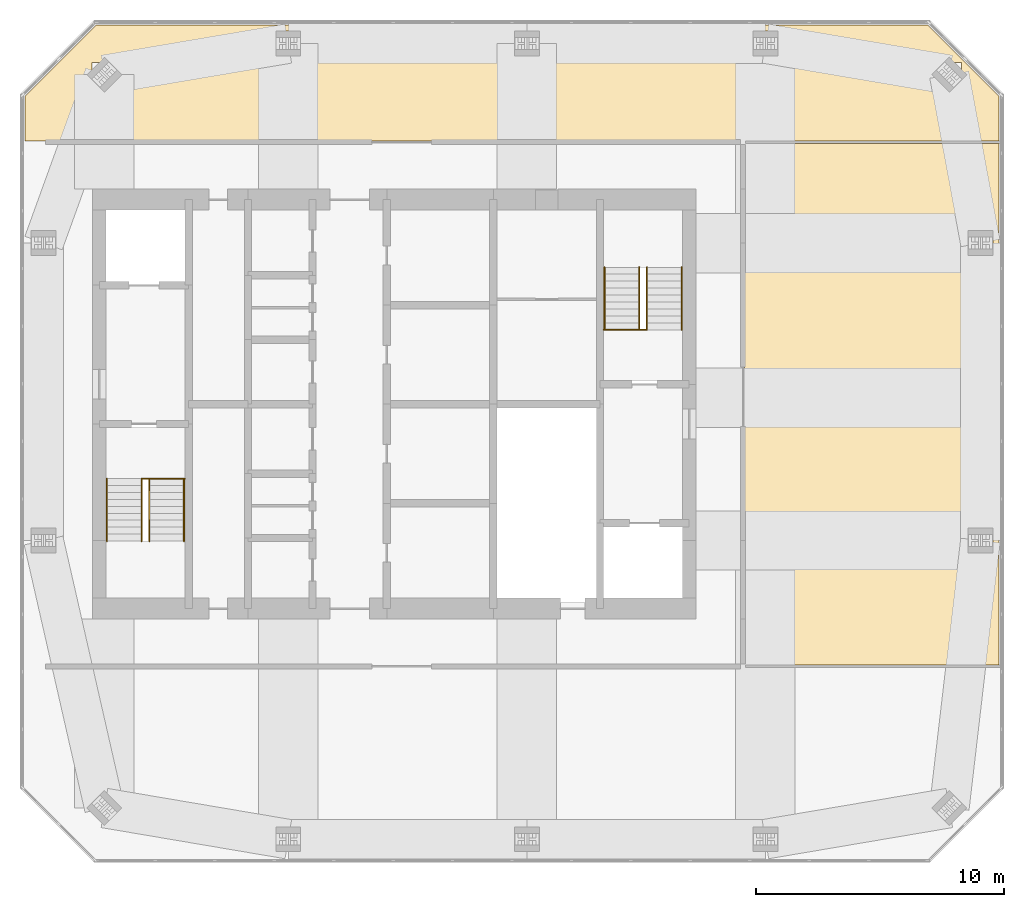
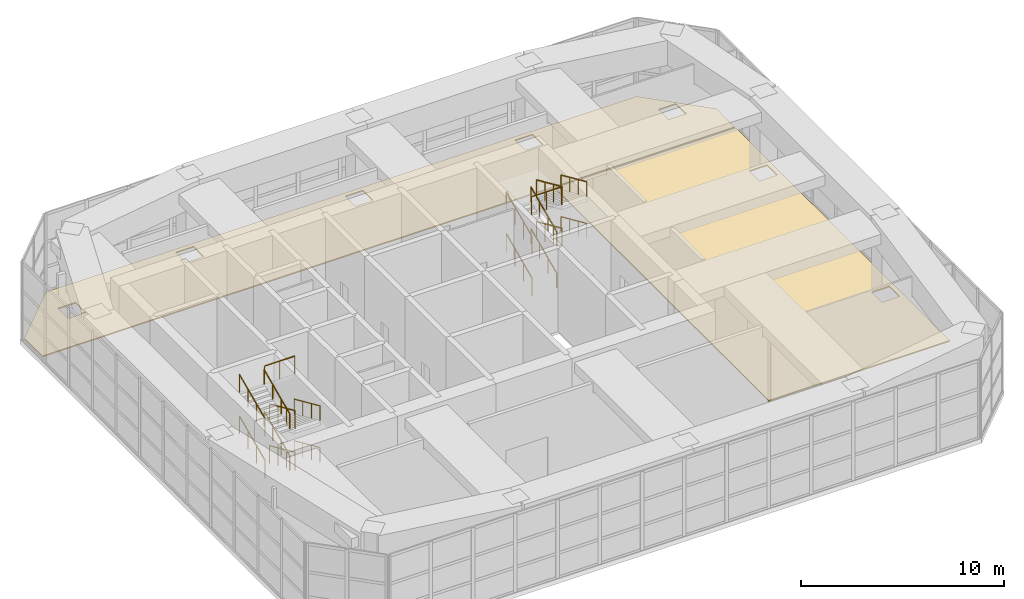
# One storey, part 14 of 14: 18 railings, 2 coverings.
"""IFC4 building model written with IfcOpenShell, lengths in metres."""

from ifc_helpers import new_model, si_unit, direction, frame, origin, origin_2d, place, context, subcontext, project, spatial, polyline, rectangle, circle, outline, extrude, material, layer, layer_set, constituent, constituent_set, type_object, element, save


model = new_model("IFC4")

# Units and contexts
model_context = context("Model", 3, precision=1e-05, world=origin(), true_north=direction((0.0, 1.0)))
body_context = subcontext(model_context, "Body", "Model", "MODEL_VIEW")
ifc_project = project(units=[si_unit("LENGTHUNIT", "METRE"), si_unit("AREAUNIT", "SQUARE_METRE"), si_unit("VOLUMEUNIT", "CUBIC_METRE"), si_unit("PLANEANGLEUNIT", "RADIAN"), si_unit("MASSUNIT", "GRAM", prefix="KILO")], contexts=[model_context])

# Site, building, storey
site_placement = place(None, origin())
site = spatial("IfcSite", under=ifc_project, at=site_placement, CompositionType="ELEMENT")
building_placement = place(site_placement, origin())
building = spatial("IfcBuilding", under=site, at=building_placement, Name="Jalousie Tower", CompositionType="ELEMENT")
storey_placement = place(building_placement, frame((0.0, 0.0, 272.75)))
storey = spatial("IfcBuildingStorey", under=building, at=storey_placement, Name="L74", CompositionType="ELEMENT", Elevation=272.75)

# Coverings
ifc_material_1 = material(Name="Sand-cement screed on resilient layer", Category="concrete")
ifc_layer = layer(ifc_material_1, 0.070068359375)
ifc_layer_set = layer_set([ifc_layer], Name="Sand-cement screed on resilient layer")
covering_type = type_object("IfcCoveringType", Name="FLOATING PLANT SCREED 70", PredefinedType="FLOORING", material=ifc_layer_set)
covering_1_placement = place(storey_placement, origin())
element("IfcCovering", 1, at=covering_1_placement, inside=storey, type_object=covering_type, Name="Floating screed Sprinkler tank plant room", PredefinedType="FLOORING", context=body_context, shape_type="SweptSolid", body=[
    extrude(outline(polyline([(17.0, 30.917236328125), (19.8828125, 33.800048828125), (53.417236328125, 33.800048828125), (56.300048828125, 30.917236328125), (56.300048828125, 29.125), (17.0, 29.125), (17.0, 30.917236328125)]), holes=[polyline([(53.79296875, 31.29296875), (54.79296875, 31.29296875), (54.79296875, 32.29296875), (53.79296875, 32.29296875), (53.79296875, 31.29296875)]), polyline([(46.375, 33.550048828125), (46.375, 32.550048828125), (47.375, 32.550048828125), (47.375, 33.550048828125), (46.375, 33.550048828125)]), polyline([(36.75, 33.550048828125), (36.75, 32.550048828125), (37.75, 32.550048828125), (37.75, 33.550048828125), (36.75, 33.550048828125)]), polyline([(27.125, 32.550048828125), (28.125, 32.550048828125), (28.125, 33.550048828125), (27.125, 33.550048828125), (27.125, 32.550048828125)]), polyline([(19.70703125, 31.29296875), (20.70703125, 31.29296875), (20.70703125, 32.29296875), (19.70703125, 32.29296875), (19.70703125, 31.29296875)])]), origin(), (0.0, 0.0, 1.0), 0.070068359375),
])
covering_2_placement = place(storey_placement, origin())
element("IfcCovering", 2, at=covering_2_placement, inside=storey, type_object=covering_type, Name="Floating screed Lift machine plant room", PredefinedType="FLOORING", context=body_context, shape_type="SweptSolid", body=[
    extrude(outline(polyline([(56.300048828125, 29.02490234375), (56.300048828125, 7.97509765625), (46.02490234375, 7.97509765625), (46.02490234375, 29.02490234375), (56.300048828125, 29.02490234375)]), holes=[polyline([(55.050048828125, 12.5), (56.050048828125, 12.5), (56.050048828125, 13.5), (55.050048828125, 13.5), (55.050048828125, 12.5)]), polyline([(55.050048828125, 24.5), (56.050048828125, 24.5), (56.050048828125, 25.5), (55.050048828125, 25.5), (55.050048828125, 24.5)])]), origin(), (0.0, 0.0, 1.0), 0.070068359375),
])

# Railings
ifc_material_2 = material(Name="Steel ASTM A500 Grade C", Category="steel")
ifc_constituent_1 = constituent(ifc_material_2, Name="Body")
ifc_material_3 = material(Name="Hot-dip galvanised zinc coating")
ifc_constituent_2 = constituent(ifc_material_3, Name="Finish")
ifc_constituent_set_1 = constituent_set(constituents=[ifc_constituent_1, ifc_constituent_2])
railing_type_1 = type_object("IfcRailingType", Name="STAIR GUARD 1100", PredefinedType="GUARDRAIL", material=ifc_constituent_set_1)
railing_1_placement = place(storey_placement, frame((23.449951171875, 15.49755859375, 5.0)))
element("IfcRailing", 3, at=railing_1_placement, inside=storey, type_object=railing_type_1, Name="Exit stair A top landing guard", PredefinedType="GUARDRAIL", context=body_context, shape_type="SweptSolid", body=[
    extrude(rectangle(XDim=0.048095703125, YDim=0.048095703125, at=origin_2d()), frame((0.0, 0.0, 1.076171875), z_axis=(-1.0, 0.0, 0.0), x_axis=(0.0, -1.0, 0.0)), (0.0, 0.0, 1.0), 1.71240234375),
    extrude(circle(Radius=0.02099609375, at=origin_2d()), origin(), (0.0, 0.0, 1.0), 1.052001953125),
    extrude(circle(Radius=0.02099609375, at=origin_2d()), frame((-0.856201171875, 0.0, 0.0)), (0.0, 0.0, 1.0), 1.052001953125),
    extrude(circle(Radius=0.02099609375, at=origin_2d()), frame((-1.71240234375, 0.0, 0.0)), (0.0, 0.0, 1.0), 1.052001953125),
])
railing_2_placement = place(storey_placement, frame((22.017578125, 15.49755859375, 0.125)))
element("IfcRailing", 4, at=railing_2_placement, inside=storey, type_object=railing_type_1, Name="Exit stair A guard L74 flight 1", PredefinedType="GUARDRAIL", context=body_context, shape_type="SweptSolid", body=[
    extrude(rectangle(XDim=0.048095703125, YDim=0.048095703125, at=origin_2d()), frame((0.0, 0.0, 1.076171875), z_axis=(0.0, -0.913139058521, 0.407648205936), x_axis=(1.0, 0.0, 0.0)), (0.0, 0.0, 1.0), 2.759765625),
    extrude(circle(Radius=0.02099609375, at=origin_2d()), origin(), (0.0, 0.0, 1.0), 1.052001953125),
    extrude(circle(Radius=0.02099609375, at=origin_2d()), frame((0.0, -0.840087890625, 0.375)), (0.0, 0.0, 1.0), 1.052001953125),
    extrude(circle(Radius=0.02099609375, at=origin_2d()), frame((0.0, -1.679931640625, 0.75)), (0.0, 0.0, 1.0), 1.052001953125),
    extrude(circle(Radius=0.02099609375, at=origin_2d()), frame((0.0, -2.52001953125, 1.125)), (0.0, 0.0, 1.0), 1.052001953125),
])
railing_3_placement = place(storey_placement, frame((20.304931640625, 12.9775390625, 1.375)))
element("IfcRailing", 5, at=railing_3_placement, inside=storey, type_object=railing_type_1, Name="Exit stair A guard L74 flight 2", PredefinedType="GUARDRAIL", context=body_context, shape_type="SweptSolid", body=[
    extrude(rectangle(XDim=0.048095703125, YDim=0.048095703125, at=origin_2d()), frame((0.0, 0.0, 1.076171875), z_axis=(0.0, 0.913139058521, 0.407648205936), x_axis=(-1.0, 0.0, 0.0)), (0.0, 0.0, 1.0), 2.759765625),
    extrude(circle(Radius=0.02099609375, at=origin_2d()), origin(), (0.0, 0.0, 1.0), 1.052001953125),
    extrude(circle(Radius=0.02099609375, at=origin_2d()), frame((0.0, 0.840087890625, 0.375)), (0.0, 0.0, 1.0), 1.052001953125),
    extrude(circle(Radius=0.02099609375, at=origin_2d()), frame((0.0, 1.679931640625, 0.75)), (0.0, 0.0, 1.0), 1.052001953125),
    extrude(circle(Radius=0.02099609375, at=origin_2d()), frame((0.0, 2.52001953125, 1.125)), (0.0, 0.0, 1.0), 1.052001953125),
])
railing_4_placement = place(storey_placement, frame((22.017578125, 15.49755859375, 2.625)))
element("IfcRailing", 6, at=railing_4_placement, inside=storey, type_object=railing_type_1, Name="Exit stair A guard L74 flight 3", PredefinedType="GUARDRAIL", context=body_context, shape_type="SweptSolid", body=[
    extrude(rectangle(XDim=0.048095703125, YDim=0.048095703125, at=origin_2d()), frame((0.0, 0.0, 1.076171875), z_axis=(0.0, -0.913139058521, 0.407648205936), x_axis=(1.0, 0.0, 0.0)), (0.0, 0.0, 1.0), 2.759765625),
    extrude(circle(Radius=0.02099609375, at=origin_2d()), origin(), (0.0, 0.0, 1.0), 1.052001953125),
    extrude(circle(Radius=0.02099609375, at=origin_2d()), frame((0.0, -0.840087890625, 0.375)), (0.0, 0.0, 1.0), 1.052001953125),
    extrude(circle(Radius=0.02099609375, at=origin_2d()), frame((0.0, -1.679931640625, 0.75)), (0.0, 0.0, 1.0), 1.052001953125),
    extrude(circle(Radius=0.02099609375, at=origin_2d()), frame((0.0, -2.52001953125, 1.125)), (0.0, 0.0, 1.0), 1.052001953125),
])
railing_5_placement = place(storey_placement, frame((20.304931640625, 12.9775390625, 3.875)))
element("IfcRailing", 7, at=railing_5_placement, inside=storey, type_object=railing_type_1, Name="Exit stair A guard L74 flight 4", PredefinedType="GUARDRAIL", context=body_context, shape_type="SweptSolid", body=[
    extrude(rectangle(XDim=0.048095703125, YDim=0.048095703125, at=origin_2d()), frame((0.0, 0.0, 1.076171875), z_axis=(0.0, 0.913139058521, 0.407648205936), x_axis=(-1.0, 0.0, 0.0)), (0.0, 0.0, 1.0), 2.759765625),
    extrude(circle(Radius=0.02099609375, at=origin_2d()), origin(), (0.0, 0.0, 1.0), 1.052001953125),
    extrude(circle(Radius=0.02099609375, at=origin_2d()), frame((0.0, 0.840087890625, 0.375)), (0.0, 0.0, 1.0), 1.052001953125),
    extrude(circle(Radius=0.02099609375, at=origin_2d()), frame((0.0, 1.679931640625, 0.75)), (0.0, 0.0, 1.0), 1.052001953125),
    extrude(circle(Radius=0.02099609375, at=origin_2d()), frame((0.0, 2.52001953125, 1.125)), (0.0, 0.0, 1.0), 1.052001953125),
])
railing_6_placement = place(storey_placement, frame((40.35009765625, 21.50244140625, 5.0)))
element("IfcRailing", 8, at=railing_6_placement, inside=storey, type_object=railing_type_1, Name="Exit stair B top landing guard", PredefinedType="GUARDRAIL", context=body_context, shape_type="SweptSolid", body=[
    extrude(rectangle(XDim=0.048095703125, YDim=0.048095703125, at=origin_2d()), frame((0.0, 0.0, 1.076171875), z_axis=(1.0, 0.0, 0.0), x_axis=(0.0, 1.0, 0.0)), (0.0, 0.0, 1.0), 1.71240234375),
    extrude(circle(Radius=0.02099609375, at=origin_2d()), origin(), (0.0, 0.0, 1.0), 1.052001953125),
    extrude(circle(Radius=0.02099609375, at=origin_2d()), frame((0.856201171875, 0.0, 0.0)), (0.0, 0.0, 1.0), 1.052001953125),
    extrude(circle(Radius=0.02099609375, at=origin_2d()), frame((1.71240234375, 0.0, 0.0)), (0.0, 0.0, 1.0), 1.052001953125),
])
railing_7_placement = place(storey_placement, frame((40.3798828125, 21.50244140625, 0.125)))
element("IfcRailing", 9, at=railing_7_placement, inside=storey, type_object=railing_type_1, Name="Exit stair B guard L74 flight 1", PredefinedType="GUARDRAIL", context=body_context, shape_type="SweptSolid", body=[
    extrude(rectangle(XDim=0.048095703125, YDim=0.048095703125, at=origin_2d()), frame((0.0, 0.0, 1.076171875), z_axis=(0.0, 0.913139058521, 0.407648205936), x_axis=(-1.0, 0.0, 0.0)), (0.0, 0.0, 1.0), 2.759765625),
    extrude(circle(Radius=0.02099609375, at=origin_2d()), origin(), (0.0, 0.0, 1.0), 1.052001953125),
    extrude(circle(Radius=0.02099609375, at=origin_2d()), frame((0.0, 0.840087890625, 0.375)), (0.0, 0.0, 1.0), 1.052001953125),
    extrude(circle(Radius=0.02099609375, at=origin_2d()), frame((0.0, 1.679931640625, 0.75)), (0.0, 0.0, 1.0), 1.052001953125),
    extrude(circle(Radius=0.02099609375, at=origin_2d()), frame((0.0, 2.52001953125, 1.125)), (0.0, 0.0, 1.0), 1.052001953125),
])
railing_8_placement = place(storey_placement, frame((42.092529296875, 24.0224609375, 1.375)))
element("IfcRailing", 10, at=railing_8_placement, inside=storey, type_object=railing_type_1, Name="Exit stair B guard L74 flight 2", PredefinedType="GUARDRAIL", context=body_context, shape_type="SweptSolid", body=[
    extrude(rectangle(XDim=0.048095703125, YDim=0.048095703125, at=origin_2d()), frame((0.0, 0.0, 1.076171875), z_axis=(0.0, -0.913139058521, 0.407648205936), x_axis=(1.0, 0.0, 0.0)), (0.0, 0.0, 1.0), 2.759765625),
    extrude(circle(Radius=0.02099609375, at=origin_2d()), origin(), (0.0, 0.0, 1.0), 1.052001953125),
    extrude(circle(Radius=0.02099609375, at=origin_2d()), frame((0.0, -0.840087890625, 0.375)), (0.0, 0.0, 1.0), 1.052001953125),
    extrude(circle(Radius=0.02099609375, at=origin_2d()), frame((0.0, -1.679931640625, 0.75)), (0.0, 0.0, 1.0), 1.052001953125),
    extrude(circle(Radius=0.02099609375, at=origin_2d()), frame((0.0, -2.52001953125, 1.125)), (0.0, 0.0, 1.0), 1.052001953125),
])
railing_9_placement = place(storey_placement, frame((40.3798828125, 21.50244140625, 2.625)))
element("IfcRailing", 11, at=railing_9_placement, inside=storey, type_object=railing_type_1, Name="Exit stair B guard L74 flight 3", PredefinedType="GUARDRAIL", context=body_context, shape_type="SweptSolid", body=[
    extrude(rectangle(XDim=0.048095703125, YDim=0.048095703125, at=origin_2d()), frame((0.0, 0.0, 1.076171875), z_axis=(0.0, 0.913139058521, 0.407648205936), x_axis=(-1.0, 0.0, 0.0)), (0.0, 0.0, 1.0), 2.759765625),
    extrude(circle(Radius=0.02099609375, at=origin_2d()), origin(), (0.0, 0.0, 1.0), 1.052001953125),
    extrude(circle(Radius=0.02099609375, at=origin_2d()), frame((0.0, 0.840087890625, 0.375)), (0.0, 0.0, 1.0), 1.052001953125),
    extrude(circle(Radius=0.02099609375, at=origin_2d()), frame((0.0, 1.679931640625, 0.75)), (0.0, 0.0, 1.0), 1.052001953125),
    extrude(circle(Radius=0.02099609375, at=origin_2d()), frame((0.0, 2.52001953125, 1.125)), (0.0, 0.0, 1.0), 1.052001953125),
])
railing_10_placement = place(storey_placement, frame((42.092529296875, 24.0224609375, 3.875)))
element("IfcRailing", 12, at=railing_10_placement, inside=storey, type_object=railing_type_1, Name="Exit stair B guard L74 flight 4", PredefinedType="GUARDRAIL", context=body_context, shape_type="SweptSolid", body=[
    extrude(rectangle(XDim=0.048095703125, YDim=0.048095703125, at=origin_2d()), frame((0.0, 0.0, 1.076171875), z_axis=(0.0, -0.913139058521, 0.407648205936), x_axis=(1.0, 0.0, 0.0)), (0.0, 0.0, 1.0), 2.759765625),
    extrude(circle(Radius=0.02099609375, at=origin_2d()), origin(), (0.0, 0.0, 1.0), 1.052001953125),
    extrude(circle(Radius=0.02099609375, at=origin_2d()), frame((0.0, -0.840087890625, 0.375)), (0.0, 0.0, 1.0), 1.052001953125),
    extrude(circle(Radius=0.02099609375, at=origin_2d()), frame((0.0, -1.679931640625, 0.75)), (0.0, 0.0, 1.0), 1.052001953125),
    extrude(circle(Radius=0.02099609375, at=origin_2d()), frame((0.0, -2.52001953125, 1.125)), (0.0, 0.0, 1.0), 1.052001953125),
])
ifc_material_4 = material(Name="Steel ASTM A500 Grade C", Category="steel")
ifc_constituent_3 = constituent(ifc_material_4, Name="Body")
ifc_material_5 = material(Name="Hot-dip galvanised zinc coating")
ifc_constituent_4 = constituent(ifc_material_5, Name="Finish")
ifc_constituent_set_2 = constituent_set(constituents=[ifc_constituent_3, ifc_constituent_4])
railing_type_2 = type_object("IfcRailingType", Name="STAIR HANDRAIL 900", PredefinedType="HANDRAIL", material=ifc_constituent_set_2)
railing_11_placement = place(storey_placement, frame((23.420166015625, 15.49755859375, 0.125)))
element("IfcRailing", 13, at=railing_11_placement, inside=storey, type_object=railing_type_2, Name="Exit stair A handrail L74 flight 1", PredefinedType="HANDRAIL", context=body_context, shape_type="SweptSolid", body=[
    extrude(circle(Radius=0.02392578125, at=origin_2d()), frame((0.0, 0.0, 0.8759765625), z_axis=(0.0, -0.913139058521, 0.407648205936), x_axis=(1.0, 0.0, 0.0)), (0.0, 0.0, 1.0), 2.759765625),
    extrude(circle(Radius=0.02099609375, at=origin_2d()), origin(), (0.0, 0.0, 1.0), 0.851806640625),
    extrude(circle(Radius=0.02099609375, at=origin_2d()), frame((0.0, -0.840087890625, 0.375)), (0.0, 0.0, 1.0), 0.851806640625),
    extrude(circle(Radius=0.02099609375, at=origin_2d()), frame((0.0, -1.679931640625, 0.75)), (0.0, 0.0, 1.0), 0.851806640625),
    extrude(circle(Radius=0.02099609375, at=origin_2d()), frame((0.0, -2.52001953125, 1.125)), (0.0, 0.0, 1.0), 0.851806640625),
])
railing_12_placement = place(storey_placement, frame((21.70751953125, 12.9775390625, 1.375)))
element("IfcRailing", 14, at=railing_12_placement, inside=storey, type_object=railing_type_2, Name="Exit stair A handrail L74 flight 2", PredefinedType="HANDRAIL", context=body_context, shape_type="SweptSolid", body=[
    extrude(circle(Radius=0.02392578125, at=origin_2d()), frame((0.0, 0.0, 0.8759765625), z_axis=(0.0, 0.913139058521, 0.407648205936), x_axis=(-1.0, 0.0, 0.0)), (0.0, 0.0, 1.0), 2.759765625),
    extrude(circle(Radius=0.02099609375, at=origin_2d()), origin(), (0.0, 0.0, 1.0), 0.851806640625),
    extrude(circle(Radius=0.02099609375, at=origin_2d()), frame((0.0, 0.840087890625, 0.375)), (0.0, 0.0, 1.0), 0.851806640625),
    extrude(circle(Radius=0.02099609375, at=origin_2d()), frame((0.0, 1.679931640625, 0.75)), (0.0, 0.0, 1.0), 0.851806640625),
    extrude(circle(Radius=0.02099609375, at=origin_2d()), frame((0.0, 2.52001953125, 1.125)), (0.0, 0.0, 1.0), 0.851806640625),
])
railing_13_placement = place(storey_placement, frame((23.420166015625, 15.49755859375, 2.625)))
element("IfcRailing", 15, at=railing_13_placement, inside=storey, type_object=railing_type_2, Name="Exit stair A handrail L74 flight 3", PredefinedType="HANDRAIL", context=body_context, shape_type="SweptSolid", body=[
    extrude(circle(Radius=0.02392578125, at=origin_2d()), frame((0.0, 0.0, 0.8759765625), z_axis=(0.0, -0.913139058521, 0.407648205936), x_axis=(1.0, 0.0, 0.0)), (0.0, 0.0, 1.0), 2.759765625),
    extrude(circle(Radius=0.02099609375, at=origin_2d()), origin(), (0.0, 0.0, 1.0), 0.851806640625),
    extrude(circle(Radius=0.02099609375, at=origin_2d()), frame((0.0, -0.840087890625, 0.375)), (0.0, 0.0, 1.0), 0.851806640625),
    extrude(circle(Radius=0.02099609375, at=origin_2d()), frame((0.0, -1.679931640625, 0.75)), (0.0, 0.0, 1.0), 0.851806640625),
    extrude(circle(Radius=0.02099609375, at=origin_2d()), frame((0.0, -2.52001953125, 1.125)), (0.0, 0.0, 1.0), 0.851806640625),
])
for number, where, name in (
    (16, (21.70751953125, 12.9775390625, 3.875), "Exit stair A handrail L74 flight 4"),
    (17, (41.782470703125, 21.50244140625, 0.125), "Exit stair B handrail L74 flight 1"),
):
    element("IfcRailing", number, at=place(storey_placement, frame(where)), inside=storey, type_object=railing_type_2, Name=name, PredefinedType="HANDRAIL", context=body_context, shape_type="SweptSolid", body=[
        extrude(circle(Radius=0.02392578125, at=origin_2d()), frame((0.0, 0.0, 0.8759765625), z_axis=(0.0, 0.913139058521, 0.407648205936), x_axis=(-1.0, 0.0, 0.0)), (0.0, 0.0, 1.0), 2.759765625),
        extrude(circle(Radius=0.02099609375, at=origin_2d()), origin(), (0.0, 0.0, 1.0), 0.851806640625),
        extrude(circle(Radius=0.02099609375, at=origin_2d()), frame((0.0, 0.840087890625, 0.375)), (0.0, 0.0, 1.0), 0.851806640625),
        extrude(circle(Radius=0.02099609375, at=origin_2d()), frame((0.0, 1.679931640625, 0.75)), (0.0, 0.0, 1.0), 0.851806640625),
        extrude(circle(Radius=0.02099609375, at=origin_2d()), frame((0.0, 2.52001953125, 1.125)), (0.0, 0.0, 1.0), 0.851806640625),
    ])
railing_14_placement = place(storey_placement, frame((43.4951171875, 24.0224609375, 1.375)))
element("IfcRailing", 18, at=railing_14_placement, inside=storey, type_object=railing_type_2, Name="Exit stair B handrail L74 flight 2", PredefinedType="HANDRAIL", context=body_context, shape_type="SweptSolid", body=[
    extrude(circle(Radius=0.02392578125, at=origin_2d()), frame((0.0, 0.0, 0.8759765625), z_axis=(0.0, -0.913139058521, 0.407648205936), x_axis=(1.0, 0.0, 0.0)), (0.0, 0.0, 1.0), 2.759765625),
    extrude(circle(Radius=0.02099609375, at=origin_2d()), origin(), (0.0, 0.0, 1.0), 0.851806640625),
    extrude(circle(Radius=0.02099609375, at=origin_2d()), frame((0.0, -0.840087890625, 0.375)), (0.0, 0.0, 1.0), 0.851806640625),
    extrude(circle(Radius=0.02099609375, at=origin_2d()), frame((0.0, -1.679931640625, 0.75)), (0.0, 0.0, 1.0), 0.851806640625),
    extrude(circle(Radius=0.02099609375, at=origin_2d()), frame((0.0, -2.52001953125, 1.125)), (0.0, 0.0, 1.0), 0.851806640625),
])
railing_15_placement = place(storey_placement, frame((41.782470703125, 21.50244140625, 2.625)))
element("IfcRailing", 19, at=railing_15_placement, inside=storey, type_object=railing_type_2, Name="Exit stair B handrail L74 flight 3", PredefinedType="HANDRAIL", context=body_context, shape_type="SweptSolid", body=[
    extrude(circle(Radius=0.02392578125, at=origin_2d()), frame((0.0, 0.0, 0.8759765625), z_axis=(0.0, 0.913139058521, 0.407648205936), x_axis=(-1.0, 0.0, 0.0)), (0.0, 0.0, 1.0), 2.759765625),
    extrude(circle(Radius=0.02099609375, at=origin_2d()), origin(), (0.0, 0.0, 1.0), 0.851806640625),
    extrude(circle(Radius=0.02099609375, at=origin_2d()), frame((0.0, 0.840087890625, 0.375)), (0.0, 0.0, 1.0), 0.851806640625),
    extrude(circle(Radius=0.02099609375, at=origin_2d()), frame((0.0, 1.679931640625, 0.75)), (0.0, 0.0, 1.0), 0.851806640625),
    extrude(circle(Radius=0.02099609375, at=origin_2d()), frame((0.0, 2.52001953125, 1.125)), (0.0, 0.0, 1.0), 0.851806640625),
])
railing_16_placement = place(storey_placement, frame((43.4951171875, 24.0224609375, 3.875)))
element("IfcRailing", 20, at=railing_16_placement, inside=storey, type_object=railing_type_2, Name="Exit stair B handrail L74 flight 4", PredefinedType="HANDRAIL", context=body_context, shape_type="SweptSolid", body=[
    extrude(circle(Radius=0.02392578125, at=origin_2d()), frame((0.0, 0.0, 0.8759765625), z_axis=(0.0, -0.913139058521, 0.407648205936), x_axis=(1.0, 0.0, 0.0)), (0.0, 0.0, 1.0), 2.759765625),
    extrude(circle(Radius=0.02099609375, at=origin_2d()), origin(), (0.0, 0.0, 1.0), 0.851806640625),
    extrude(circle(Radius=0.02099609375, at=origin_2d()), frame((0.0, -0.840087890625, 0.375)), (0.0, 0.0, 1.0), 0.851806640625),
    extrude(circle(Radius=0.02099609375, at=origin_2d()), frame((0.0, -1.679931640625, 0.75)), (0.0, 0.0, 1.0), 0.851806640625),
    extrude(circle(Radius=0.02099609375, at=origin_2d()), frame((0.0, -2.52001953125, 1.125)), (0.0, 0.0, 1.0), 0.851806640625),
])

save(model, "model.ifc")
